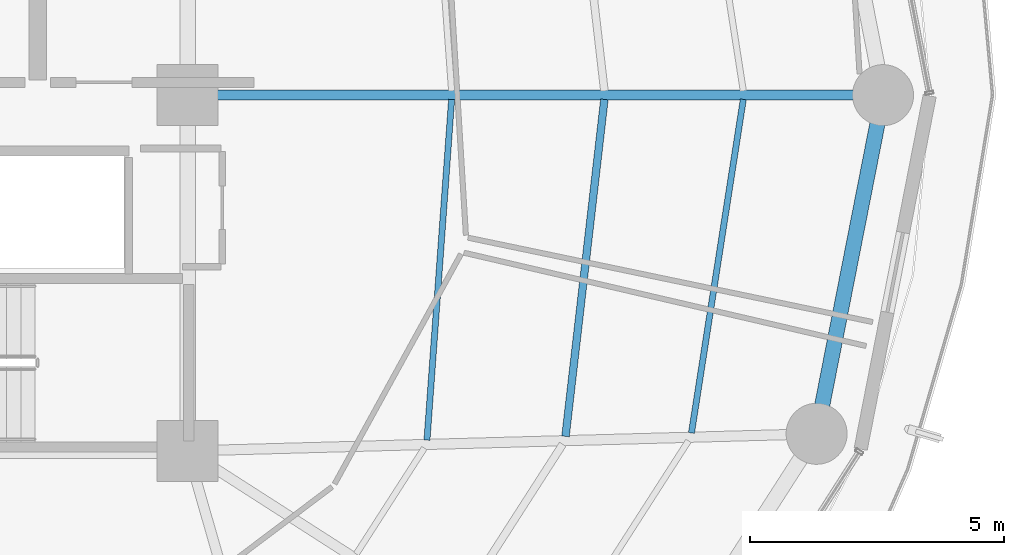
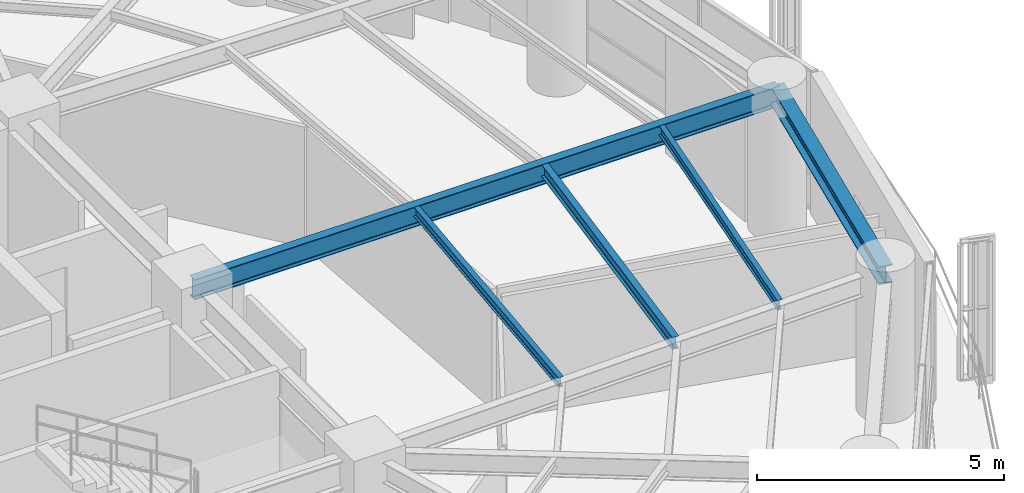
# One storey, part 12 of 27: 5 beams.
"""IFC4 building model written with IfcOpenShell, lengths in metres."""

from ifc_helpers import new_model, si_unit, direction, frame, origin, origin_2d, place, context, subcontext, project, spatial, i_section, extrude, material, material_profile, profile_set, type_object, element, save


model = new_model("IFC4")

# Units and contexts
model_context = context("Model", 3, precision=1e-05, world=origin(), true_north=direction((0.0, 1.0)))
body_context = subcontext(model_context, "Body", "Model", "MODEL_VIEW")
ifc_project = project(units=[si_unit("LENGTHUNIT", "METRE"), si_unit("AREAUNIT", "SQUARE_METRE"), si_unit("VOLUMEUNIT", "CUBIC_METRE"), si_unit("PLANEANGLEUNIT", "RADIAN"), si_unit("MASSUNIT", "GRAM", prefix="KILO")], contexts=[model_context])

# Site, building, storey
site_placement = place(None, origin())
site = spatial("IfcSite", under=ifc_project, at=site_placement, CompositionType="ELEMENT")
building_placement = place(site_placement, origin())
building = spatial("IfcBuilding", under=site, at=building_placement, Name="Kelanora Arch Commons", CompositionType="ELEMENT")
storey_placement = place(building_placement, frame((0.0, 0.0, 150.60009765625)))
storey = spatial("IfcBuildingStorey", under=building, at=storey_placement, Name="L38", CompositionType="ELEMENT", Elevation=150.60009765625)

# Beams
ifc_material = material(Name="Steel S355", Category="steel")
ifc_material_profile_1 = material_profile(ifc_material, i_section(OverallWidth=0.14990234375, OverallDepth=0.300048828125, WebThickness=0.007080078125, FlangeThickness=0.0107421875, FilletRadius=0.014892578125, at=origin_2d()), Name="IPE300")
ifc_profile_set_1 = profile_set([ifc_material_profile_1], Name="Steel S355")
beam_type_1 = type_object("IfcBeamType", Name="BM-JST-01", PredefinedType="JOIST", material=ifc_profile_set_1)
beam_1_placement = place(storey_placement, frame((89.43310546875, 51.286865234375, 3.33984375), z_axis=(0.114667159005, 0.9934039675, 0.0), x_axis=(-0.9934039675, 0.114667159005, 0.0)))
element("IfcBeam", 1, at=beam_1_placement, inside=storey, type_object=beam_type_1, Name="Secondary Chord Joist BJB-34 L38", PredefinedType="JOIST", context=body_context, shape_type="SweptSolid", body=[
    extrude(i_section(OverallWidth=0.14990234375, OverallDepth=0.300048828125, WebThickness=0.007080078125, FlangeThickness=0.0107421875, FilletRadius=0.014892578125, at=origin_2d()), origin(), (0.0, 0.0, 1.0), 6.672607421875),
])
ifc_material_profile_2 = material_profile(ifc_material, i_section(OverallWidth=0.1201171875, OverallDepth=0.239990234375, WebThickness=0.006103515625, FlangeThickness=0.009765625, FilletRadius=0.014892578125, at=origin_2d()), Name="IPE240")
ifc_profile_set_2 = profile_set([ifc_material_profile_2], Name="Steel S355")
beam_type_2 = type_object("IfcBeamType", Name="BM-JST-02", PredefinedType="JOIST", material=ifc_profile_set_2)
beam_2_placement = place(storey_placement, frame((86.707763671875, 51.212890625, 3.369873046875), z_axis=(0.072117123738, 0.997396170267, 0.0), x_axis=(-0.997396170267, 0.072117123738, 0.0)))
element("IfcBeam", 2, at=beam_2_placement, inside=storey, type_object=beam_type_2, Name="Secondary Chord Joist BJA-34 L38", PredefinedType="JOIST", context=body_context, shape_type="SweptSolid", body=[
    extrude(i_section(OverallWidth=0.1201171875, OverallDepth=0.239990234375, WebThickness=0.006103515625, FlangeThickness=0.009765625, FilletRadius=0.014892578125, at=origin_2d()), origin(), (0.0, 0.0, 1.0), 6.719970703125),
])
beam_3_placement = place(storey_placement, frame((91.9111328125, 51.35400390625, 3.369873046875), z_axis=(0.153562625853, 0.988138917329, 0.0), x_axis=(-0.988138917329, 0.153562625853, 0.0)))
element("IfcBeam", 3, at=beam_3_placement, inside=storey, type_object=beam_type_2, Name="Secondary Chord Joist BJC-34 L38", PredefinedType="JOIST", context=body_context, shape_type="SweptSolid", body=[
    extrude(i_section(OverallWidth=0.1201171875, OverallDepth=0.239990234375, WebThickness=0.006103515625, FlangeThickness=0.009765625, FilletRadius=0.014892578125, at=origin_2d()), origin(), (0.0, 0.0, 1.0), 6.640869140625),
])
ifc_material_profile_3 = material_profile(ifc_material, i_section(OverallWidth=0.199951171875, OverallDepth=0.5, WebThickness=0.01025390625, FlangeThickness=0.01611328125, FilletRadius=0.02099609375, at=origin_2d()), Name="IPE500")
ifc_profile_set_3 = profile_set([ifc_material_profile_3], Name="Steel S355")
beam_type_3 = type_object("IfcBeamType", Name="BM-RAD-Z3", PredefinedType="BEAM", material=ifc_profile_set_3)
beam_4_placement = place(storey_placement, frame((82.0, 58.0, 3.239990234375), z_axis=(1.0, 0.0, 0.0), x_axis=(0.0, 1.0, 0.0)))
element("IfcBeam", 4, at=beam_4_placement, inside=storey, type_object=beam_type_3, Name="Radial Floor Girder BR-00 L38", PredefinedType="BEAM", context=body_context, shape_type="SweptSolid", body=[
    extrude(i_section(OverallWidth=0.199951171875, OverallDepth=0.5, WebThickness=0.01025390625, FlangeThickness=0.01611328125, FilletRadius=0.02099609375, at=origin_2d()), origin(), (0.0, 0.0, 1.0), 13.679931640625),
])
ifc_material_profile_4 = material_profile(ifc_material, i_section(OverallWidth=0.300048828125, OverallDepth=0.449951171875, WebThickness=0.013916015625, FlangeThickness=0.02587890625, FilletRadius=0.027099609375, at=origin_2d()), Name="HEB450")
ifc_profile_set_4 = profile_set([ifc_material_profile_4], Name="Steel S355")
beam_type_4 = type_object("IfcBeamType", Name="BM-SPN-Z3", PredefinedType="SPANDREL", material=ifc_profile_set_4)
beam_5_placement = place(storey_placement, frame((94.37255859375, 51.33740234375, 3.264892578125), z_axis=(0.192553643556, 0.981286448675, 0.0), x_axis=(-0.981286448675, 0.192553643556, 0.0)))
element("IfcBeam", 5, at=beam_5_placement, inside=storey, type_object=beam_type_4, Name="Perimeter Spandrel Beam BS-34 L38", PredefinedType="SPANDREL", context=body_context, shape_type="SweptSolid", body=[
    extrude(i_section(OverallWidth=0.300048828125, OverallDepth=0.449951171875, WebThickness=0.013916015625, FlangeThickness=0.02587890625, FilletRadius=0.027099609375, at=origin_2d()), origin(), (0.0, 0.0, 1.0), 6.78955078125),
])

save(model, "model.ifc")
